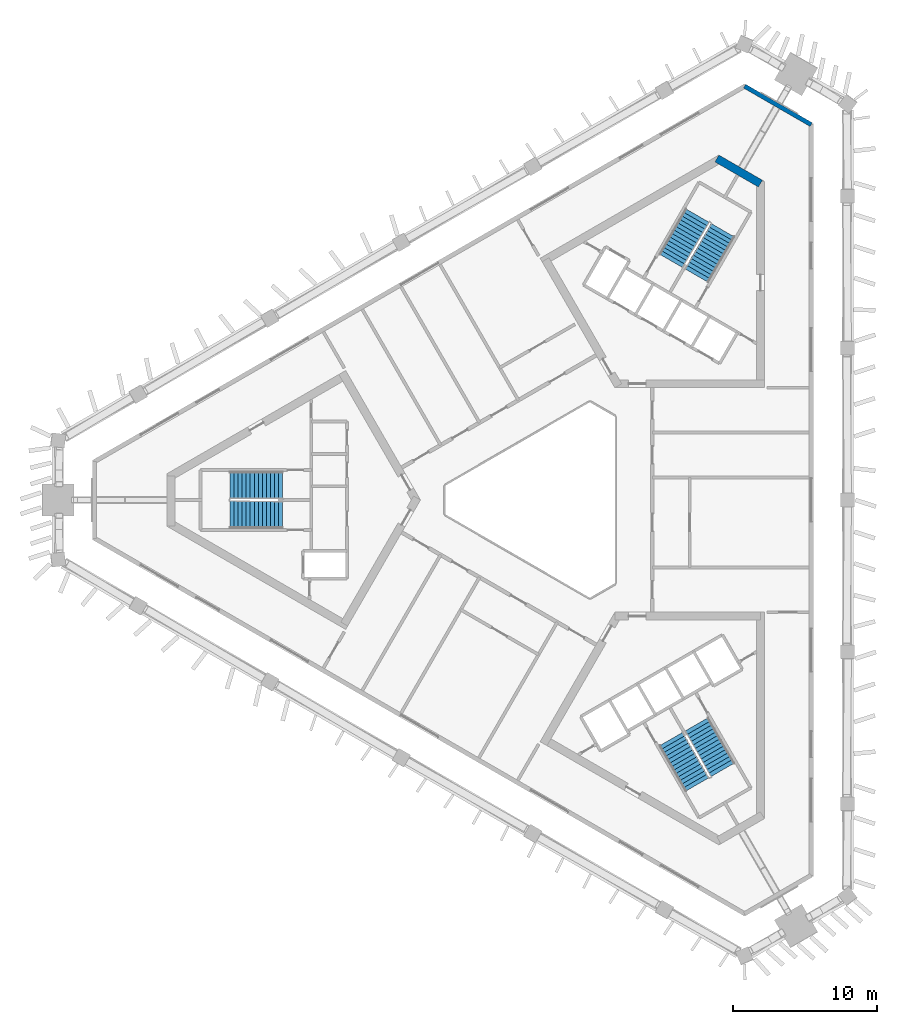
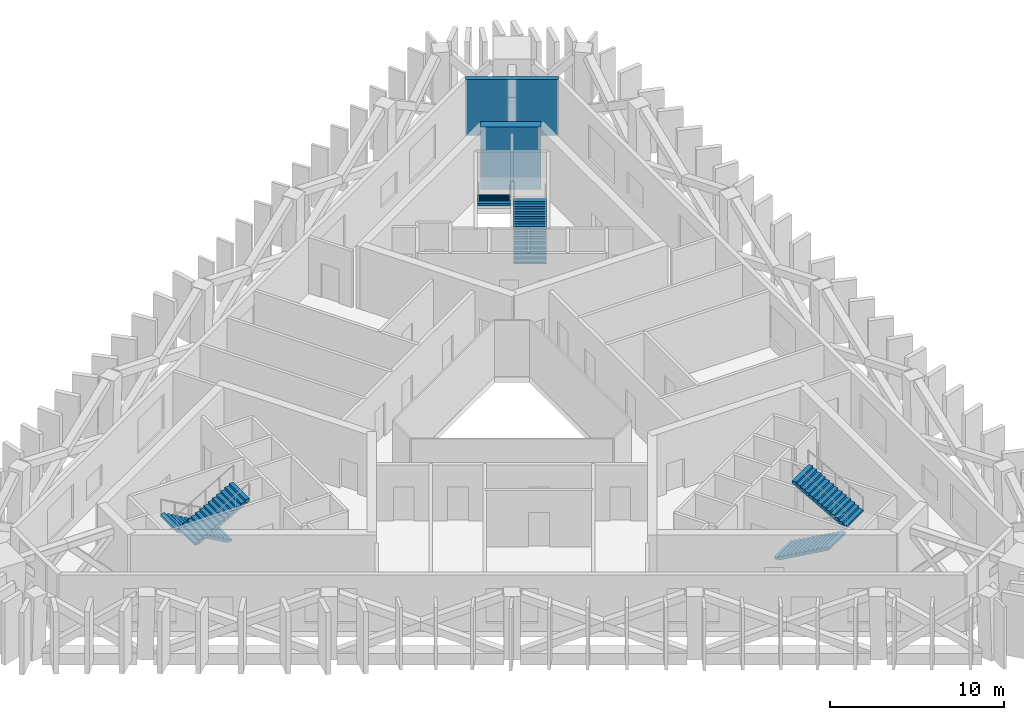
# One storey, part 7 of 9: 6 stair flights, 2 walls, 3 elements without a shape of their own.
"""IFC4 building model written with IfcOpenShell, lengths in metres."""

from ifc_helpers import new_model, si_unit, direction, frame, frame_2d, origin, place, context, subcontext, project, spatial, polyline, rectangle, outline, extrude, material, layer, layer_set, type_object, element, aggregate, save


model = new_model("IFC4")

# Units and contexts
model_context = context("Model", 3, precision=1e-05, world=origin(), true_north=direction((0.0, 1.0)))
body_context = subcontext(model_context, "Body", "Model", "MODEL_VIEW")
ifc_project = project(units=[si_unit("LENGTHUNIT", "METRE"), si_unit("AREAUNIT", "SQUARE_METRE"), si_unit("VOLUMEUNIT", "CUBIC_METRE"), si_unit("PLANEANGLEUNIT", "RADIAN"), si_unit("MASSUNIT", "GRAM", prefix="KILO")], contexts=[model_context])

# Site, building, storey
site_placement = place(None, origin())
site = spatial("IfcSite", under=ifc_project, at=site_placement, CompositionType="ELEMENT")
building_placement = place(site_placement, origin())
building = spatial("IfcBuilding", under=site, at=building_placement, Name="Jabali Bay Hotel Tower and Convention Centre", CompositionType="ELEMENT")
storey_placement = place(building_placement, frame((0.0, 0.0, 197.0)))
storey = spatial("IfcBuildingStorey", under=building, at=storey_placement, Name="L48", CompositionType="ELEMENT", Elevation=197.0)

# Walls
ifc_material_1 = material(Name="Concrete C60", Category="concrete")
ifc_layer_1 = layer(ifc_material_1, 0.550048828125)
ifc_layer_set_1 = layer_set([ifc_layer_1], Name="Concrete C60")
wall_type_1 = type_object("IfcWallType", Name="Core wall 550", PredefinedType="SHEAR", material=ifc_layer_set_1)
wall_1_placement = place(storey_placement, frame((89.60498046875, 101.96875, 0.0), z_axis=(0.0, 0.0, 1.0), x_axis=(-0.865997833373, 0.500047750313, 0.0)))
element("IfcWall", 1, at=wall_1_placement, inside=storey, type_object=wall_type_1, Name="Core wall 2.3 L48", PredefinedType="SHEAR", context=body_context, shape_type="SweptSolid", body=[
    extrude(rectangle(XDim=3.486572265625, YDim=0.550048828125, at=frame_2d((1.7431640625, 0.0))), origin(), (0.0, 0.0, 1.0), 4.39990234375),
])
ifc_material_2 = material(Name="Concrete C40", Category="concrete")
ifc_layer_2 = layer(ifc_material_2, 0.300048828125)
ifc_layer_set_2 = layer_set([ifc_layer_2], Name="Concrete C40")
wall_type_2 = type_object("IfcWallType", Name="External wall 300", PredefinedType="SOLIDWALL", material=ifc_layer_set_2)
wall_2_placement = place(storey_placement, frame((88.509521484375, 108.732666015625, 0.0), z_axis=(0.0, 0.0, 1.0), x_axis=(0.866023218336, -0.500003785289, 0.0)))
element("IfcWall", 2, at=wall_2_placement, inside=storey, type_object=wall_type_2, Name="External wall north-east chamfer L48", PredefinedType="SOLIDWALL", context=body_context, shape_type="SweptSolid", body=[
    extrude(rectangle(XDim=5.33349609375, YDim=0.300048828125, at=frame_2d((2.666748046875, 0.0))), origin(), (0.0, 0.0, 1.0), 3.949951171875),
])

# Stair, stair flights
stair_type = type_object("IfcStairType", Name="Exit stair 1900", PredefinedType="HALF_TURN_STAIR", material=ifc_material_2)
stair_1_placement = place(storey_placement, origin())
stair_1 = element("IfcStair", 3, at=stair_1_placement, inside=storey, type_object=stair_type, Name="L48 Exit Stair 1", PredefinedType="HALF_TURN_STAIR")
stair_flight_type = type_object("IfcStairFlightType", Name="Stair flight concrete 150", PredefinedType="STRAIGHT", material=ifc_material_2)
stair_flight_1_placement = place(storey_placement, frame((56.419921875, 81.02490234375, 0.0), z_axis=(0.0, 0.0, 1.0), x_axis=(-1.0, 0.0, 0.0)))
stair_flight_1 = element("IfcStairFlight", 4, at=stair_flight_1_placement, type_object=stair_flight_type, Name="ST1 flight 1", NumberOfRisers=14, NumberOfTreads=13, PredefinedType="STRAIGHT", RiserHeight=0.157142857, TreadLength=0.28, context=body_context, shape_type="SweptSolid", body=[
    extrude(outline(polyline([(0.0, 0.0), (0.0, 0.1572265625), (0.280029296875, 0.1572265625), (0.280029296875, 0.314208984375), (0.56005859375, 0.314208984375), (0.56005859375, 0.471435546875), (0.840087890625, 0.471435546875), (0.840087890625, 0.628662109375), (1.1201171875, 0.628662109375), (1.1201171875, 0.78564453125), (1.39990234375, 0.78564453125), (1.39990234375, 0.94287109375), (1.679931640625, 0.94287109375), (1.679931640625, 1.10009765625), (1.9599609375, 1.10009765625), (1.9599609375, 1.257080078125), (2.239990234375, 1.257080078125), (2.239990234375, 1.414306640625), (2.52001953125, 1.414306640625), (2.52001953125, 1.571533203125), (2.800048828125, 1.571533203125), (2.800048828125, 1.728515625), (3.080078125, 1.728515625), (3.080078125, 1.8857421875), (3.360107421875, 1.8857421875), (3.360107421875, 2.04296875), (3.639892578125, 2.04296875), (3.639892578125, 2.199951171875), (3.639892578125, 1.870849609375), (0.306396484375, 0.0), (0.0, 0.0)])), frame((0.0, 0.949951171875, 0.0), z_axis=(0.0, -1.0, 0.0), x_axis=(1.0, 0.0, 0.0)), (0.0, 0.0, 1.0), 1.89990234375),
])
stair_flight_2_placement = place(storey_placement, frame((52.780029296875, 78.97509765625, 2.199951171875), z_axis=(0.0, 0.0, 1.0), x_axis=(1.0, 0.0, 0.0)))
stair_flight_2 = element("IfcStairFlight", 5, at=stair_flight_2_placement, type_object=stair_flight_type, Name="ST1 flight 2", NumberOfRisers=14, NumberOfTreads=13, PredefinedType="STRAIGHT", RiserHeight=0.157142857, TreadLength=0.28, context=body_context, shape_type="SweptSolid", body=[
    extrude(outline(polyline([(0.0, 0.0), (0.0, 0.1572265625), (0.280029296875, 0.1572265625), (0.280029296875, 0.314208984375), (0.56005859375, 0.314208984375), (0.56005859375, 0.471435546875), (0.840087890625, 0.471435546875), (0.840087890625, 0.628662109375), (1.1201171875, 0.628662109375), (1.1201171875, 0.78564453125), (1.39990234375, 0.78564453125), (1.39990234375, 0.94287109375), (1.679931640625, 0.94287109375), (1.679931640625, 1.10009765625), (1.9599609375, 1.10009765625), (1.9599609375, 1.257080078125), (2.239990234375, 1.257080078125), (2.239990234375, 1.414306640625), (2.52001953125, 1.414306640625), (2.52001953125, 1.571533203125), (2.800048828125, 1.571533203125), (2.800048828125, 1.728515625), (3.080078125, 1.728515625), (3.080078125, 1.8857421875), (3.360107421875, 1.8857421875), (3.360107421875, 2.04296875), (3.639892578125, 2.04296875), (3.639892578125, 2.199951171875), (3.639892578125, 1.870849609375), (0.306396484375, 0.0), (0.0, 0.0)])), frame((0.0, 0.949951171875, 0.0), z_axis=(0.0, -1.0, 0.0), x_axis=(1.0, 0.0, 0.0)), (0.0, 0.0, 1.0), 1.89990234375),
])
aggregate(stair_1, [stair_flight_1, stair_flight_2])

stair_2_placement = place(storey_placement, origin())
stair_2 = element("IfcStair", 6, at=stair_2_placement, inside=storey, type_object=stair_type, Name="L48 Exit Stair 2", PredefinedType="HALF_TURN_STAIR")
stair_flight_3_placement = place(storey_placement, frame((85.177734375, 95.578369140625, 0.0), z_axis=(0.0, 0.0, 1.0), x_axis=(0.5, 0.866025403784, 0.0)))
stair_flight_3 = element("IfcStairFlight", 7, at=stair_flight_3_placement, type_object=stair_flight_type, Name="ST2 flight 1", NumberOfRisers=14, NumberOfTreads=13, PredefinedType="STRAIGHT", RiserHeight=0.157142857, TreadLength=0.28, context=body_context, shape_type="SweptSolid", body=[
    extrude(outline(polyline([(0.0, 0.0), (0.0, 0.1572265625), (0.280029296875, 0.1572265625), (0.280029296875, 0.314208984375), (0.56005859375, 0.314208984375), (0.56005859375, 0.471435546875), (0.840087890625, 0.471435546875), (0.840087890625, 0.628662109375), (1.1201171875, 0.628662109375), (1.1201171875, 0.78564453125), (1.39990234375, 0.78564453125), (1.39990234375, 0.94287109375), (1.679931640625, 0.94287109375), (1.679931640625, 1.10009765625), (1.9599609375, 1.10009765625), (1.9599609375, 1.257080078125), (2.239990234375, 1.257080078125), (2.239990234375, 1.414306640625), (2.52001953125, 1.414306640625), (2.52001953125, 1.571533203125), (2.800048828125, 1.571533203125), (2.800048828125, 1.728515625), (3.080078125, 1.728515625), (3.080078125, 1.8857421875), (3.360107421875, 1.8857421875), (3.360107421875, 2.04296875), (3.639892578125, 2.04296875), (3.639892578125, 2.199951171875), (3.639892578125, 1.870849609375), (0.306396484375, 0.0), (0.0, 0.0)])), frame((0.0, 0.949951171875, 0.0), z_axis=(0.0, -1.0, 0.0), x_axis=(1.0, 0.0, 0.0)), (0.0, 0.0, 1.0), 1.89990234375),
])
stair_flight_4_placement = place(storey_placement, frame((85.222412109375, 99.755615234375, 2.199951171875), z_axis=(0.0, 0.0, 1.0), x_axis=(-0.5, -0.866025403784, 0.0)))
stair_flight_4 = element("IfcStairFlight", 8, at=stair_flight_4_placement, type_object=stair_flight_type, Name="ST2 flight 2", NumberOfRisers=14, NumberOfTreads=13, PredefinedType="STRAIGHT", RiserHeight=0.157142857, TreadLength=0.28, context=body_context, shape_type="SweptSolid", body=[
    extrude(outline(polyline([(0.0, 0.0), (0.0, 0.1572265625), (0.280029296875, 0.1572265625), (0.280029296875, 0.314208984375), (0.56005859375, 0.314208984375), (0.56005859375, 0.471435546875), (0.840087890625, 0.471435546875), (0.840087890625, 0.628662109375), (1.1201171875, 0.628662109375), (1.1201171875, 0.78564453125), (1.39990234375, 0.78564453125), (1.39990234375, 0.94287109375), (1.679931640625, 0.94287109375), (1.679931640625, 1.10009765625), (1.9599609375, 1.10009765625), (1.9599609375, 1.257080078125), (2.239990234375, 1.257080078125), (2.239990234375, 1.414306640625), (2.52001953125, 1.414306640625), (2.52001953125, 1.571533203125), (2.800048828125, 1.571533203125), (2.800048828125, 1.728515625), (3.080078125, 1.728515625), (3.080078125, 1.8857421875), (3.360107421875, 1.8857421875), (3.360107421875, 2.04296875), (3.639892578125, 2.04296875), (3.639892578125, 2.199951171875), (3.639892578125, 1.870849609375), (0.306396484375, 0.0), (0.0, 0.0)])), frame((0.0, 0.949951171875, 0.0), z_axis=(0.0, -1.0, 0.0), x_axis=(1.0, 0.0, 0.0)), (0.0, 0.0, 1.0), 1.89990234375),
])
aggregate(stair_2, [stair_flight_3, stair_flight_4])

stair_3_placement = place(storey_placement, origin())
stair_3 = element("IfcStair", 9, at=stair_3_placement, inside=storey, type_object=stair_type, Name="L48 Exit Stair 3", PredefinedType="HALF_TURN_STAIR")
stair_flight_5_placement = place(storey_placement, frame((83.40234375, 63.396728515625, 0.0), z_axis=(0.0, 0.0, 1.0), x_axis=(0.5, -0.866025403784, 0.0)))
stair_flight_5 = element("IfcStairFlight", 10, at=stair_flight_5_placement, type_object=stair_flight_type, Name="ST3 flight 1", NumberOfRisers=14, NumberOfTreads=13, PredefinedType="STRAIGHT", RiserHeight=0.157142857, TreadLength=0.28, context=body_context, shape_type="SweptSolid", body=[
    extrude(outline(polyline([(0.0, 0.0), (0.0, 0.1572265625), (0.280029296875, 0.1572265625), (0.280029296875, 0.314208984375), (0.56005859375, 0.314208984375), (0.56005859375, 0.471435546875), (0.840087890625, 0.471435546875), (0.840087890625, 0.628662109375), (1.1201171875, 0.628662109375), (1.1201171875, 0.78564453125), (1.39990234375, 0.78564453125), (1.39990234375, 0.94287109375), (1.679931640625, 0.94287109375), (1.679931640625, 1.10009765625), (1.9599609375, 1.10009765625), (1.9599609375, 1.257080078125), (2.239990234375, 1.257080078125), (2.239990234375, 1.414306640625), (2.52001953125, 1.414306640625), (2.52001953125, 1.571533203125), (2.800048828125, 1.571533203125), (2.800048828125, 1.728515625), (3.080078125, 1.728515625), (3.080078125, 1.8857421875), (3.360107421875, 1.8857421875), (3.360107421875, 2.04296875), (3.639892578125, 2.04296875), (3.639892578125, 2.199951171875), (3.639892578125, 1.870849609375), (0.306396484375, 0.0), (0.0, 0.0)])), frame((0.0, 0.949951171875, 0.0), z_axis=(0.0, -1.0, 0.0), x_axis=(1.0, 0.0, 0.0)), (0.0, 0.0, 1.0), 1.89990234375),
])
stair_flight_6_placement = place(storey_placement, frame((86.99755859375, 61.26953125, 2.199951171875), z_axis=(0.0, 0.0, 1.0), x_axis=(-0.5, 0.866025403784, 0.0)))
stair_flight_6 = element("IfcStairFlight", 11, at=stair_flight_6_placement, type_object=stair_flight_type, Name="ST3 flight 2", NumberOfRisers=14, NumberOfTreads=13, PredefinedType="STRAIGHT", RiserHeight=0.157142857, TreadLength=0.28, context=body_context, shape_type="SweptSolid", body=[
    extrude(outline(polyline([(0.0, 0.0), (0.0, 0.1572265625), (0.280029296875, 0.1572265625), (0.280029296875, 0.314208984375), (0.56005859375, 0.314208984375), (0.56005859375, 0.471435546875), (0.840087890625, 0.471435546875), (0.840087890625, 0.628662109375), (1.1201171875, 0.628662109375), (1.1201171875, 0.78564453125), (1.39990234375, 0.78564453125), (1.39990234375, 0.94287109375), (1.679931640625, 0.94287109375), (1.679931640625, 1.10009765625), (1.9599609375, 1.10009765625), (1.9599609375, 1.257080078125), (2.239990234375, 1.257080078125), (2.239990234375, 1.414306640625), (2.52001953125, 1.414306640625), (2.52001953125, 1.571533203125), (2.800048828125, 1.571533203125), (2.800048828125, 1.728515625), (3.080078125, 1.728515625), (3.080078125, 1.8857421875), (3.360107421875, 1.8857421875), (3.360107421875, 2.04296875), (3.639892578125, 2.04296875), (3.639892578125, 2.199951171875), (3.639892578125, 1.870849609375), (0.306396484375, 0.0), (0.0, 0.0)])), frame((0.0, 0.949951171875, 0.0), z_axis=(0.0, -1.0, 0.0), x_axis=(1.0, 0.0, 0.0)), (0.0, 0.0, 1.0), 1.89990234375),
])
aggregate(stair_3, [stair_flight_5, stair_flight_6])

save(model, "model.ifc")
